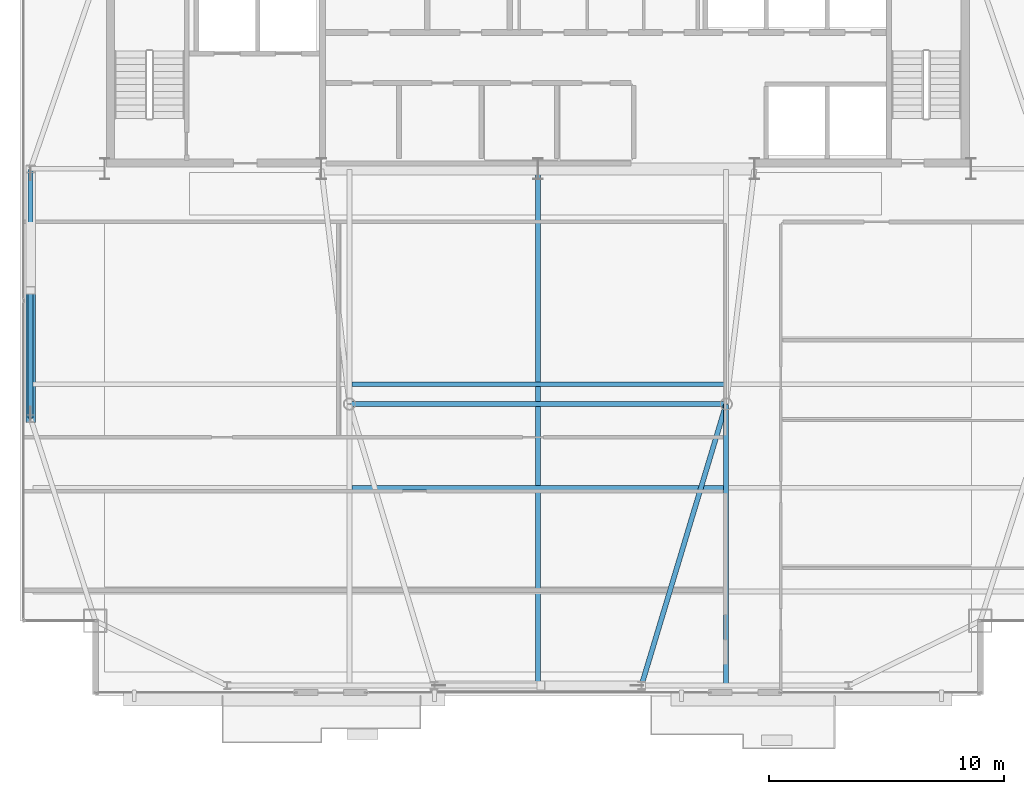
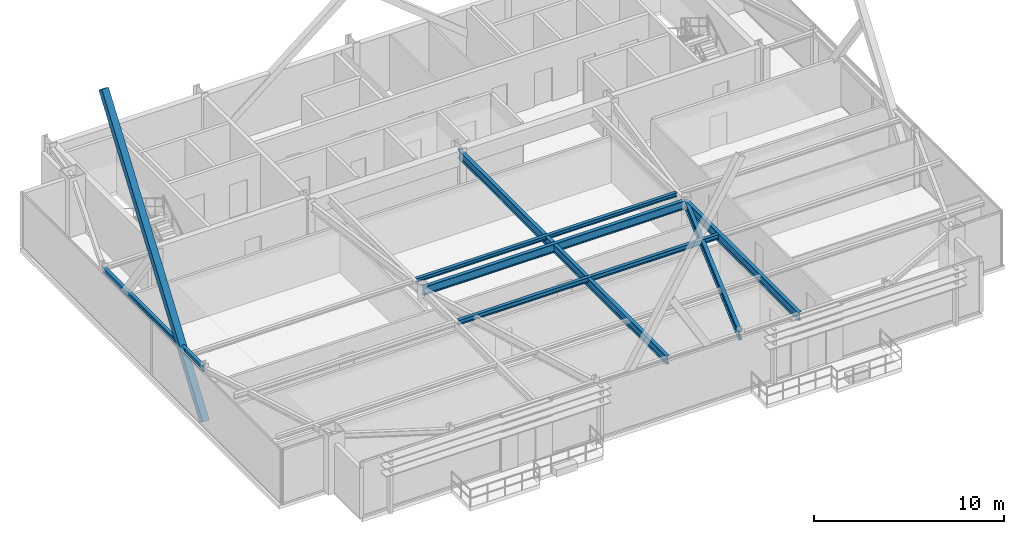
# One storey, part 8 of 25: 7 beams, 1 member.
"""IFC4 building model written with IfcOpenShell, lengths in metres."""

from ifc_helpers import new_model, si_unit, direction, frame, origin, origin_2d, place, context, subcontext, project, spatial, hollow_rectangle, i_section, extrude, source, transform, mapped, material, material_profile, profile_set, type_object, type_shapes, element, save


model = new_model("IFC4")

# Units and contexts
model_context = context("Model", 3, precision=1e-05, world=origin(), true_north=direction((0.0, 1.0)))
body_context = subcontext(model_context, "Body", "Model", "MODEL_VIEW")
ifc_project = project(units=[si_unit("LENGTHUNIT", "METRE"), si_unit("AREAUNIT", "SQUARE_METRE"), si_unit("VOLUMEUNIT", "CUBIC_METRE"), si_unit("PLANEANGLEUNIT", "RADIAN"), si_unit("MASSUNIT", "GRAM", prefix="KILO")], contexts=[model_context])

# Site, building, storey
site_placement = place(None, origin())
site = spatial("IfcSite", under=ifc_project, at=site_placement, CompositionType="ELEMENT")
building_placement = place(site_placement, origin())
building = spatial("IfcBuilding", under=site, at=building_placement, Name="Varnel Quay Broadcast Tower", CompositionType="ELEMENT")
storey_placement = place(building_placement, frame((0.0, 0.0, 273.60009765625)))
storey = spatial("IfcBuildingStorey", under=building, at=storey_placement, Name="L68", CompositionType="ELEMENT", Elevation=273.60009765625)

# Beams
ifc_material = material(Name="Structural Steel CSA G40.21 350W", Category="steel")
ifc_material_profile_1 = material_profile(ifc_material, i_section(OverallWidth=0.205078125, OverallDepth=0.35400390625, WebThickness=0.009521484375, FlangeThickness=0.016845703125, FilletRadius=0.012939453125, at=origin_2d()), Name="W360X79")
ifc_profile_set_1 = profile_set([ifc_material_profile_1], Name="Structural Steel CSA G40.21 350W")
beam_type_1 = type_object("IfcBeamType", Name="Beam_W360X79", PredefinedType="SPANDREL", material=ifc_profile_set_1)
shared_shape_1 = source(origin(), body_context, "Body", "SweptSolid", [
    extrude(i_section(OverallWidth=0.205078125, OverallDepth=0.35400390625, WebThickness=0.009521484375, FlangeThickness=0.016845703125, FilletRadius=0.012939453125, at=origin_2d()), origin(), (0.0, 0.0, 1.0), 10.56005859375),
])
type_shapes(beam_type_1, [shared_shape_1])
beam_1_placement = place(storey_placement, frame((12.449951171875, 25.02001953125, 3.372802734375), z_axis=(0.0, 1.0, 0.0), x_axis=(-1.0, 0.0, 0.0)))
element("IfcBeam", 1, at=beam_1_placement, inside=storey, type_object=beam_type_1, Name="L68 West Spandrel TC-W1-TC-W2", PredefinedType="SPANDREL", context=body_context, shape_type="MappedRepresentation", body=[
    mapped(shared_shape_1, transform((0.0, 0.0, 0.0), x_axis=(1.0, 0.0, 0.0), y_axis=(0.0, 1.0, 0.0), z_axis=(0.0, 0.0, 1.0), scale=1.0)),
])
ifc_material_profile_2 = material_profile(ifc_material, i_section(OverallWidth=0.2119140625, OverallDepth=0.5439453125, WebThickness=0.01318359375, FlangeThickness=0.021240234375, FilletRadius=0.013916015625, at=origin_2d()), Name="W530X123")
ifc_profile_set_2 = profile_set([ifc_material_profile_2], Name="Structural Steel CSA G40.21 350W")
beam_type_2 = type_object("IfcBeamType", Name="Girder_W530X123", PredefinedType="BEAM", material=ifc_profile_set_2)
shared_shape_2 = source(origin(), body_context, "Body", "SweptSolid", [
    extrude(i_section(OverallWidth=0.2119140625, OverallDepth=0.5439453125, WebThickness=0.01318359375, FlangeThickness=0.021240234375, FilletRadius=0.013916015625, at=origin_2d()), origin(), (0.0, 0.0, 1.0), 12.449951171875),
])
beam_2_placement = place(storey_placement, frame((38.40576171875, 13.669189453125, 3.27783203125), z_axis=(0.28822390679, 0.957563042078, 0.0), x_axis=(-0.957563042078, 0.28822390679, 0.0)))
element("IfcBeam", 2, at=beam_2_placement, inside=storey, type_object=beam_type_2, Name="L68 Primary Girder TC-S3-IC-02", PredefinedType="BEAM", context=body_context, shape_type="MappedRepresentation", body=[
    mapped(shared_shape_2, transform((0.0, 0.0, 0.0), x_axis=(1.0, 0.0, 0.0), y_axis=(0.0, 1.0, 0.0), z_axis=(0.0, 0.0, 1.0), scale=1.0)),
])
shared_shape_3 = source(origin(), body_context, "Body", "SweptSolid", [
    extrude(i_section(OverallWidth=0.2119140625, OverallDepth=0.5439453125, WebThickness=0.01318359375, FlangeThickness=0.021240234375, FilletRadius=0.013916015625, at=origin_2d()), origin(), (0.0, 0.0, 1.0), 15.9599609375),
])
beam_3_placement = place(storey_placement, frame((26.02001953125, 25.610107421875, 3.27783203125), z_axis=(1.0, 0.0, 0.0), x_axis=(0.0, 1.0, 0.0)))
element("IfcBeam", 3, at=beam_3_placement, inside=storey, type_object=beam_type_2, Name="L68 Interior Spine Girder", PredefinedType="BEAM", context=body_context, shape_type="MappedRepresentation", body=[
    mapped(shared_shape_3, transform((0.0, 0.0, 0.0), x_axis=(1.0, 0.0, 0.0), y_axis=(0.0, 1.0, 0.0), z_axis=(0.0, 0.0, 1.0), scale=1.0)),
])
shared_shape_4 = source(origin(), body_context, "Body", "SweptSolid", [
    extrude(i_section(OverallWidth=0.2119140625, OverallDepth=0.5439453125, WebThickness=0.01318359375, FlangeThickness=0.021240234375, FilletRadius=0.013916015625, at=origin_2d()), origin(), (0.0, 0.0, 1.0), 21.91015625),
])
beam_4_placement = place(storey_placement, frame((34.0, 13.669921875, 3.27783203125), z_axis=(0.0, 1.0, 0.0), x_axis=(-1.0, 0.0, 0.0)))
element("IfcBeam", 4, at=beam_4_placement, inside=storey, type_object=beam_type_2, Name="L68 Central Bay Girder", PredefinedType="BEAM", context=body_context, shape_type="MappedRepresentation", body=[
    mapped(shared_shape_4, transform((0.0, 0.0, 0.0), x_axis=(1.0, 0.0, 0.0), y_axis=(0.0, 1.0, 0.0), z_axis=(0.0, 0.0, 1.0), scale=1.0)),
])
shared_shape_5 = source(origin(), body_context, "Body", "SweptSolid", [
    extrude(i_section(OverallWidth=0.2119140625, OverallDepth=0.5439453125, WebThickness=0.01318359375, FlangeThickness=0.021240234375, FilletRadius=0.013916015625, at=origin_2d()), origin(), (0.0, 0.0, 1.0), 11.920166015625),
])
type_shapes(beam_type_2, [shared_shape_2, shared_shape_3, shared_shape_4, shared_shape_5])
beam_5_placement = place(storey_placement, frame((42.0, 13.669921875, 3.27783203125), z_axis=(0.0, 1.0, 0.0), x_axis=(-1.0, 0.0, 0.0)))
element("IfcBeam", 5, at=beam_5_placement, inside=storey, type_object=beam_type_2, Name="L68 N-S Joist Header IC-02S", PredefinedType="BEAM", context=body_context, shape_type="MappedRepresentation", body=[
    mapped(shared_shape_5, transform((0.0, 0.0, 0.0), x_axis=(1.0, 0.0, 0.0), y_axis=(0.0, 1.0, 0.0), z_axis=(0.0, 0.0, 1.0), scale=1.0)),
])
ifc_material_profile_3 = material_profile(ifc_material, i_section(OverallWidth=0.201904296875, OverallDepth=0.2470703125, WebThickness=0.00732421875, FlangeThickness=0.010986328125, FilletRadius=0.010986328125, at=origin_2d()), Name="W250X49")
ifc_profile_set_3 = profile_set([ifc_material_profile_3], Name="Structural Steel CSA G40.21 350W")
beam_type_3 = type_object("IfcBeamType", Name="Beam_W250X49", PredefinedType="JOIST", material=ifc_profile_set_3)
shared_shape_6 = source(origin(), body_context, "Body", "SweptSolid", [
    extrude(i_section(OverallWidth=0.201904296875, OverallDepth=0.2470703125, WebThickness=0.00732421875, FlangeThickness=0.010986328125, FilletRadius=0.010986328125, at=origin_2d()), origin(), (0.0, 0.0, 1.0), 15.7978515625),
])
type_shapes(beam_type_3, [shared_shape_6])
beam_6_placement = place(storey_placement, frame((26.10107421875, 26.449951171875, 3.426513671875), z_axis=(1.0, 0.0, 0.0), x_axis=(0.0, 1.0, 0.0)))
element("IfcBeam", 6, at=beam_6_placement, inside=storey, type_object=beam_type_3, Name="L68 Central Floor Joist 3", PredefinedType="JOIST", context=body_context, shape_type="MappedRepresentation", body=[
    mapped(shared_shape_6, transform((0.0, 0.0, 0.0), x_axis=(1.0, 0.0, 0.0), y_axis=(0.0, 1.0, 0.0), z_axis=(0.0, 0.0, 1.0), scale=1.0)),
])
ifc_material_profile_4 = material_profile(ifc_material, i_section(OverallWidth=0.202880859375, OverallDepth=0.302978515625, WebThickness=0.007568359375, FlangeThickness=0.01318359375, FilletRadius=0.011962890625, at=origin_2d()), Name="W310X60")
ifc_profile_set_4 = profile_set([ifc_material_profile_4], Name="Structural Steel CSA G40.21 350W")
beam_type_4 = type_object("IfcBeamType", Name="Beam_W310X60", PredefinedType="JOIST", material=ifc_profile_set_4)
shared_shape_7 = source(origin(), body_context, "Body", "SweptSolid", [
    extrude(i_section(OverallWidth=0.202880859375, OverallDepth=0.302978515625, WebThickness=0.007568359375, FlangeThickness=0.01318359375, FilletRadius=0.011962890625, at=origin_2d()), origin(), (0.0, 0.0, 1.0), 15.7978515625),
])
type_shapes(beam_type_4, [shared_shape_7])
beam_7_placement = place(storey_placement, frame((26.10107421875, 22.050048828125, 3.3984375), z_axis=(1.0, 0.0, 0.0), x_axis=(0.0, 1.0, 0.0)))
element("IfcBeam", 7, at=beam_7_placement, inside=storey, type_object=beam_type_4, Name="L68 Central Floor Joist 2", PredefinedType="JOIST", context=body_context, shape_type="MappedRepresentation", body=[
    mapped(shared_shape_7, transform((0.0, 0.0, 0.0), x_axis=(1.0, 0.0, 0.0), y_axis=(0.0, 1.0, 0.0), z_axis=(0.0, 0.0, 1.0), scale=1.0)),
])

# Member
ifc_material_profile_5 = material_profile(ifc_material, hollow_rectangle(XDim=0.406005859375, YDim=0.406005859375, WallThickness=0.01611328125, at=origin_2d()), Name="HSS406X406X16")
ifc_profile_set_5 = profile_set([ifc_material_profile_5], Name="Structural Steel CSA G40.21 350W")
member_type = type_object("IfcMemberType", Name="Brace_HSS406X406X16", PredefinedType="BRACE", material=ifc_profile_set_5)
shared_shape_8 = source(origin(), body_context, "Body", "SweptSolid", [
    extrude(hollow_rectangle(XDim=0.406005859375, YDim=0.406005859375, WallThickness=0.01611328125, at=origin_2d()), origin(), (0.0, 0.0, 1.0), 18.2939453125),
])
type_shapes(member_type, [shared_shape_8])
member_placement = place(storey_placement, frame((12.449951171875, 25.0, 0.02001953125), z_axis=(0.0, 0.579432785068, 0.815020028949), x_axis=(-1.0, 0.0, 0.0)))
element("IfcMember", 8, at=member_placement, inside=storey, type_object=member_type, Name="Zone 5 Mega-Brace W-FT2 Continuous Diag A", PredefinedType="BRACE", context=body_context, shape_type="MappedRepresentation", body=[
    mapped(shared_shape_8, transform((0.0, 0.0, 0.0), x_axis=(1.0, 0.0, 0.0), y_axis=(0.0, 1.0, 0.0), z_axis=(0.0, 0.0, 1.0), scale=1.0)),
])

save(model, "model.ifc")
